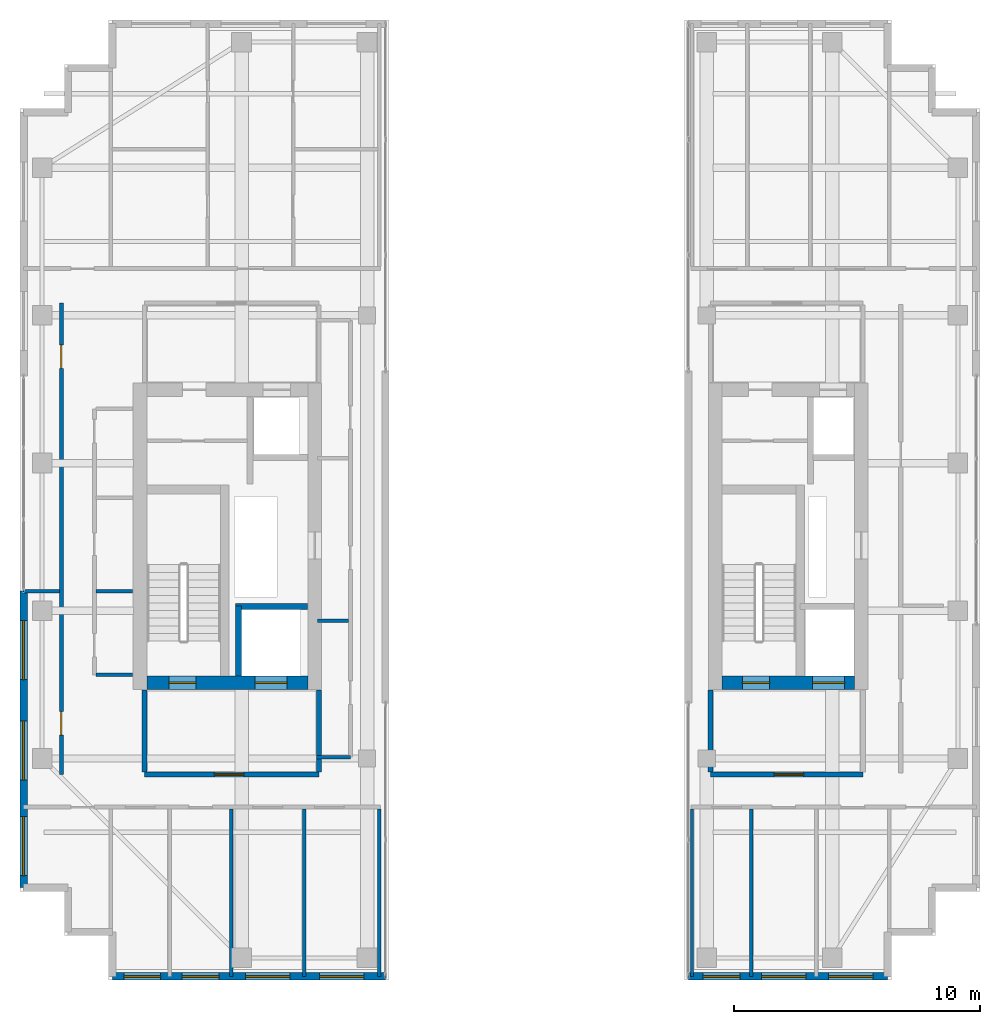
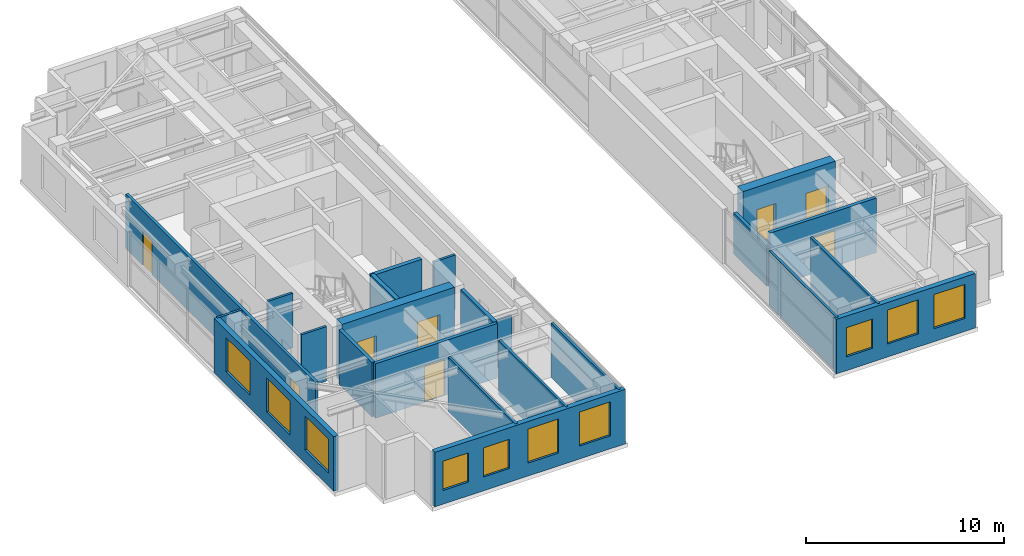
# One storey, part 18 of 23: 23 walls, 10 windows, 8 doors, 18 openings.
"""IFC4 building model written with IfcOpenShell, lengths in metres."""

from ifc_helpers import new_model, si_unit, direction, frame, frame_2d, origin, place, context, subcontext, project, spatial, rectangle, extrude, source, transform, mapped, material, layer, layer_set, type_object, element, fill, save


model = new_model("IFC4")

# Units and contexts
model_context = context("Model", 3, precision=1e-05, world=origin(), true_north=direction((0.0, 1.0)))
body_context = subcontext(model_context, "Body", "Model", "MODEL_VIEW")
ifc_project = project(units=[si_unit("LENGTHUNIT", "METRE"), si_unit("AREAUNIT", "SQUARE_METRE"), si_unit("VOLUMEUNIT", "CUBIC_METRE"), si_unit("PLANEANGLEUNIT", "RADIAN"), si_unit("MASSUNIT", "GRAM", prefix="KILO")], contexts=[model_context])

# Site, building, storey
site_placement = place(None, origin())
site = spatial("IfcSite", under=ifc_project, at=site_placement, CompositionType="ELEMENT")
building_placement = place(site_placement, origin())
building = spatial("IfcBuilding", under=site, at=building_placement, Name="Khoralis Quay Care Tower", CompositionType="ELEMENT")
storey_placement = place(building_placement, frame((0.0, 0.0, 252.89990234375)))
storey = spatial("IfcBuildingStorey", under=building, at=storey_placement, Name="L66", CompositionType="ELEMENT", Elevation=252.89990234375)

# Wall, opening, door
ifc_material_1 = material(Name="Gypsum plasterboard on acoustic metal stud")
ifc_layer_1 = layer(ifc_material_1, 0.199951171875)
ifc_layer_set_1 = layer_set([ifc_layer_1], Name="Gypsum plasterboard on acoustic metal stud")
wall_type_1 = type_object("IfcWallType", Name="WL-COMP-200", PredefinedType="PARTITIONING", material=ifc_layer_set_1)
wall_1_placement = place(storey_placement, frame((8.050048828125, 11.35009765625, 0.0), z_axis=(0.0, 0.0, 1.0), x_axis=(1.0, 0.0, 0.0)))
wall_1 = element("IfcWall", 1, at=wall_1_placement, inside=storey, type_object=wall_type_1, Name="L66 West Firefighting Lobby South Wall", PredefinedType="PARTITIONING", context=body_context, shape_type="SweptSolid", body=[
    extrude(rectangle(XDim=7.099853515625, YDim=0.199951171875, at=frame_2d((3.5498046875, 0.0))), origin(), (0.0, 0.0, 1.0), 3.360107421875),
])
opening_1_placement = place(wall_1_placement, frame((2.846435546875, 0.0, 0.0)))
opening_1 = element("IfcOpeningElement", 2, at=opening_1_placement, cuts=wall_1, Name="Opening FD1", PredefinedType="OPENING", context=body_context, shape_type="SweptSolid", body=[
    extrude(rectangle(XDim=1.199951171875, YDim=2.199951171875, at=frame_2d((0.60009765625, 1.10009765625))), frame((0.0, 0.10986328125, 0.0), z_axis=(0.0, -1.0, 0.0), x_axis=(1.0, 0.0, 0.0)), (0.0, 0.0, 1.0), 0.219970703125),
])
ifc_material_2 = material(Name="Fire-rated painted steel", Category="steel")
door_type_1 = type_object("IfcDoorType", Name="DR-FFL-1200X2200", OperationType="NOTDEFINED", PredefinedType="DOOR", material=ifc_material_2)
shared_shape_1 = source(origin(), body_context, "Body", "SweptSolid", [
    extrude(rectangle(XDim=1.199951171875, YDim=2.199951171875, at=frame_2d((0.60009765625, 1.10009765625))), frame((0.0, 0.02490234375, 0.0), z_axis=(0.0, -1.0, 0.0), x_axis=(1.0, 0.0, 0.0)), (0.0, 0.0, 1.0), 0.050048828125),
])
door_1_placement = place(opening_1_placement, origin())
door_1 = element("IfcDoor", 3, at=door_1_placement, inside=storey, type_object=door_type_1, Name="L66 West Firefighting Lobby Fire Door", OperationType="SINGLE_SWING_RIGHT", OverallHeight=2.199951171875, OverallWidth=1.199951171875, PredefinedType="DOOR", context=body_context, shape_type="MappedRepresentation", body=[
    mapped(shared_shape_1, transform((0.0, 0.0, 0.0), scale=1.0)),
])
fill(opening_1, door_1)

# Walls
for number, where, z_axis, x_axis, name in (
    (4, (8.050048828125, 11.445068359375, 0.0), (0.0, 0.0, 1.0), (0.0, 1.0, 0.0), "L66 West Firefighting Lobby West Wall"),
    (5, (15.14990234375, 11.445068359375, 0.0), (0.0, 0.0, 1.0), (0.0, 1.0, 0.0), "L66 West Firefighting Lobby East Wall"),
):
    element("IfcWall", number, at=place(storey_placement, frame(where, z_axis=z_axis, x_axis=x_axis)), inside=storey, type_object=wall_type_1, Name=name, PredefinedType="PARTITIONING", context=body_context, shape_type="SweptSolid", body=[
        extrude(rectangle(XDim=3.3349609375, YDim=0.199951171875, at=frame_2d((1.66748046875, 0.0))), origin(), (0.0, 0.0, 1.0), 3.360107421875),
    ])

# Wall, opening, door
wall_2_placement = place(storey_placement, frame((31.050048828125, 11.35009765625, 0.0), z_axis=(0.0, 0.0, 1.0), x_axis=(1.0, 0.0, 0.0)))
wall_2 = element("IfcWall", 6, at=wall_2_placement, inside=storey, type_object=wall_type_1, Name="L66 East Firefighting Lobby South Wall", PredefinedType="PARTITIONING", context=body_context, shape_type="SweptSolid", body=[
    extrude(rectangle(XDim=6.199951171875, YDim=0.199951171875, at=frame_2d((3.10009765625, 0.0))), origin(), (0.0, 0.0, 1.0), 3.360107421875),
])
opening_2_placement = place(wall_2_placement, frame((2.585693359375, 0.0, 0.0)))
opening_2 = element("IfcOpeningElement", 7, at=opening_2_placement, cuts=wall_2, Name="Opening FD1", PredefinedType="OPENING", context=body_context, shape_type="SweptSolid", body=[
    extrude(rectangle(XDim=1.199951171875, YDim=2.199951171875, at=frame_2d((0.60009765625, 1.10009765625))), frame((0.0, 0.10986328125, 0.0), z_axis=(0.0, -1.0, 0.0), x_axis=(1.0, 0.0, 0.0)), (0.0, 0.0, 1.0), 0.219970703125),
])
door_2_placement = place(opening_2_placement, origin())
door_2 = element("IfcDoor", 8, at=door_2_placement, inside=storey, type_object=door_type_1, Name="L66 East Firefighting Lobby Fire Door", OperationType="SINGLE_SWING_LEFT", OverallHeight=2.199951171875, OverallWidth=1.199951171875, PredefinedType="DOOR", context=body_context, shape_type="MappedRepresentation", body=[
    mapped(shared_shape_1, transform((0.0, 0.0, 0.0), scale=1.0)),
])
fill(opening_2, door_2)

# Wall
wall_3_placement = place(storey_placement, frame((31.050048828125, 11.445068359375, 0.0), z_axis=(0.0, 0.0, 1.0), x_axis=(0.0, 1.0, 0.0)))
element("IfcWall", 9, at=wall_3_placement, inside=storey, type_object=wall_type_1, Name="L66 East Firefighting Lobby West Wall", PredefinedType="PARTITIONING", context=body_context, shape_type="SweptSolid", body=[
    extrude(rectangle(XDim=3.3349609375, YDim=0.199951171875, at=frame_2d((1.66748046875, 0.0))), origin(), (0.0, 0.0, 1.0), 2.510009765625),
])

# Wall, openings, doors
ifc_material_3 = material(Name="Concrete C65/80", Category="concrete")
ifc_layer_2 = layer(ifc_material_3, 0.550048828125)
ifc_layer_set_2 = layer_set([ifc_layer_2], Name="Concrete C65/80")
wall_type_2 = type_object("IfcWallType", Name="WL-CORE-550", PredefinedType="SHEAR", material=ifc_layer_set_2)
wall_4_placement = place(storey_placement, frame((8.14990234375, 15.074951171875, 0.0), z_axis=(0.0, 0.0, 1.0), x_axis=(1.0, 0.0, 0.0)))
wall_4 = element("IfcWall", 10, at=wall_4_placement, inside=storey, type_object=wall_type_2, Name="L66 WCORE South Shear Wall", PredefinedType="SHEAR", context=body_context, shape_type="SweptSolid", body=[
    extrude(rectangle(XDim=6.550048828125, YDim=0.550048828125, at=frame_2d((3.27490234375, 0.0))), origin(), (0.0, 0.0, 1.0), 3.60009765625),
])
opening_3_placement = place(wall_4_placement, frame((0.89990234375, 0.0, 0.0)))
opening_3 = element("IfcOpeningElement", 11, at=opening_3_placement, cuts=wall_4, Name="Opening SD1", PredefinedType="OPENING", context=body_context, shape_type="SweptSolid", body=[
    extrude(rectangle(XDim=1.10009765625, YDim=2.199951171875, at=frame_2d((0.550048828125, 1.10009765625))), frame((0.0, 0.28515625, 0.0), z_axis=(0.0, -1.0, 0.0), x_axis=(1.0, 0.0, 0.0)), (0.0, 0.0, 1.0), 0.570068359375),
])
opening_4_placement = place(wall_4_placement, frame((4.39990234375, 0.0, 0.0)))
opening_4 = element("IfcOpeningElement", 12, at=opening_4_placement, cuts=wall_4, Name="Opening LD2", PredefinedType="OPENING", context=body_context, shape_type="SweptSolid", body=[
    extrude(rectangle(XDim=1.300048828125, YDim=2.199951171875, at=frame_2d((0.64990234375, 1.10009765625))), frame((0.0, 0.28515625, 0.0), z_axis=(0.0, -1.0, 0.0), x_axis=(1.0, 0.0, 0.0)), (0.0, 0.0, 1.0), 0.570068359375),
])
door_type_2 = type_object("IfcDoorType", Name="DR-STAIR-1100X2200", OperationType="NOTDEFINED", PredefinedType="DOOR", material=ifc_material_2)
shared_shape_2 = source(origin(), body_context, "Body", "SweptSolid", [
    extrude(rectangle(XDim=1.10009765625, YDim=2.199951171875, at=frame_2d((0.550048828125, 1.10009765625))), frame((0.0, 0.02490234375, 0.0), z_axis=(0.0, -1.0, 0.0), x_axis=(1.0, 0.0, 0.0)), (0.0, 0.0, 1.0), 0.050048828125),
])
door_3_placement = place(opening_3_placement, origin())
door_3 = element("IfcDoor", 13, at=door_3_placement, inside=storey, type_object=door_type_2, Name="L66 Stair ST-T1 Fire Door", OperationType="SINGLE_SWING_RIGHT", OverallHeight=2.199951171875, OverallWidth=1.10009765625, PredefinedType="DOOR", context=body_context, shape_type="MappedRepresentation", body=[
    mapped(shared_shape_2, transform((0.0, 0.0, 0.0), scale=1.0)),
])
fill(opening_3, door_3)
ifc_material_4 = material(Name="Brushed stainless steel", Category="steel")
door_type_3 = type_object("IfcDoorType", Name="DR-LIFT-1300X2200", OperationType="SLIDING_TO_RIGHT", PredefinedType="DOOR", material=ifc_material_4)
shared_shape_3 = source(origin(), body_context, "Body", "SweptSolid", [
    extrude(rectangle(XDim=1.300048828125, YDim=2.199951171875, at=frame_2d((0.64990234375, 1.10009765625))), frame((0.0, 0.02490234375, 0.0), z_axis=(0.0, -1.0, 0.0), x_axis=(1.0, 0.0, 0.0)), (0.0, 0.0, 1.0), 0.050048828125),
])
door_4_placement = place(opening_4_placement, origin())
door_4 = element("IfcDoor", 14, at=door_4_placement, inside=storey, type_object=door_type_3, Name="L66 Firefighting Lift FFL-1 Landing Door", OperationType="SLIDING_TO_RIGHT", OverallHeight=2.199951171875, OverallWidth=1.300048828125, PredefinedType="DOOR", context=body_context, shape_type="MappedRepresentation", body=[
    mapped(shared_shape_3, transform((0.0, 0.0, 0.0), scale=1.0)),
])
fill(opening_4, door_4)

wall_5_placement = place(storey_placement, frame((31.52001953125, 15.074951171875, 0.0), z_axis=(0.0, 0.0, 1.0), x_axis=(1.0, 0.0, 0.0)))
wall_5 = element("IfcWall", 15, at=wall_5_placement, inside=storey, type_object=wall_type_2, Name="L66 ECORE South Shear Wall", PredefinedType="SHEAR", context=body_context, shape_type="SweptSolid", body=[
    extrude(rectangle(XDim=5.3798828125, YDim=0.550048828125, at=frame_2d((2.68994140625, 0.0))), origin(), (0.0, 0.0, 1.0), 3.60009765625),
])
opening_5_placement = place(wall_5_placement, frame((0.830078125, 0.0, 0.0)))
opening_5 = element("IfcOpeningElement", 16, at=opening_5_placement, cuts=wall_5, Name="Opening SD1", PredefinedType="OPENING", context=body_context, shape_type="SweptSolid", body=[
    extrude(rectangle(XDim=1.10009765625, YDim=2.199951171875, at=frame_2d((0.550048828125, 1.10009765625))), frame((0.0, 0.28515625, 0.0), z_axis=(0.0, -1.0, 0.0), x_axis=(1.0, 0.0, 0.0)), (0.0, 0.0, 1.0), 0.570068359375),
])
opening_6_placement = place(wall_5_placement, frame((3.679931640625, 0.0, 0.0)))
opening_6 = element("IfcOpeningElement", 17, at=opening_6_placement, cuts=wall_5, Name="Opening LD2", PredefinedType="OPENING", context=body_context, shape_type="SweptSolid", body=[
    extrude(rectangle(XDim=1.300048828125, YDim=2.199951171875, at=frame_2d((0.64990234375, 1.10009765625))), frame((0.0, 0.28515625, 0.0), z_axis=(0.0, -1.0, 0.0), x_axis=(1.0, 0.0, 0.0)), (0.0, 0.0, 1.0), 0.570068359375),
])
door_5_placement = place(opening_5_placement, origin())
door_5 = element("IfcDoor", 18, at=door_5_placement, inside=storey, type_object=door_type_2, Name="L66 Stair ST-T2 Fire Door", OperationType="SINGLE_SWING_LEFT", OverallHeight=2.199951171875, OverallWidth=1.10009765625, PredefinedType="DOOR", context=body_context, shape_type="MappedRepresentation", body=[
    mapped(shared_shape_2, transform((0.0, 0.0, 0.0), scale=1.0)),
])
fill(opening_5, door_5)
door_6_placement = place(opening_6_placement, origin())
door_6 = element("IfcDoor", 19, at=door_6_placement, inside=storey, type_object=door_type_3, Name="L66 Firefighting Lift FFL-2 Landing Door", OperationType="SLIDING_TO_RIGHT", OverallHeight=2.199951171875, OverallWidth=1.300048828125, PredefinedType="DOOR", context=body_context, shape_type="MappedRepresentation", body=[
    mapped(shared_shape_3, transform((0.0, 0.0, 0.0), scale=1.0)),
])
fill(opening_6, door_6)

ifc_layer_3 = layer(ifc_material_1, 0.1650390625)
ifc_layer_set_3 = layer_set([ifc_layer_3], Name="Gypsum plasterboard on acoustic metal stud")
wall_type_3 = type_object("IfcWallType", Name="WL-CORR-165", PredefinedType="PARTITIONING", material=ifc_layer_set_3)
wall_6_placement = place(storey_placement, frame((4.679931640625, 11.35009765625, 0.0), z_axis=(0.0, 0.0, 1.0), x_axis=(0.0, 1.0, 0.0)))
wall_6 = element("IfcWall", 20, at=wall_6_placement, inside=storey, type_object=wall_type_3, Name="L66 West Mid South Entry Wall", PredefinedType="PARTITIONING", context=body_context, shape_type="SweptSolid", body=[
    extrude(rectangle(XDim=19.14990234375, YDim=0.1650390625, at=frame_2d((9.574951171875, 0.0))), origin(), (0.0, 0.0, 1.0), 3.360107421875),
])
opening_7_placement = place(wall_6_placement, frame((1.60009765625, 0.0, 0.0)))
opening_7 = element("IfcOpeningElement", 21, at=opening_7_placement, cuts=wall_6, Name="Opening ID1", PredefinedType="OPENING", context=body_context, shape_type="SweptSolid", body=[
    extrude(rectangle(XDim=0.949951171875, YDim=2.10009765625, at=frame_2d((0.47509765625, 1.050048828125))), frame((0.0, 0.092529296875, 0.0), z_axis=(0.0, -1.0, 0.0), x_axis=(1.0, 0.0, 0.0)), (0.0, 0.0, 1.0), 0.18505859375),
])
opening_8_placement = place(wall_6_placement, frame((16.5, 0.0, 0.0)))
opening_8 = element("IfcOpeningElement", 22, at=opening_8_placement, cuts=wall_6, Name="Opening ID1", PredefinedType="OPENING", context=body_context, shape_type="SweptSolid", body=[
    extrude(rectangle(XDim=0.949951171875, YDim=2.10009765625, at=frame_2d((0.47509765625, 1.050048828125))), frame((0.0, 0.092529296875, 0.0), z_axis=(0.0, -1.0, 0.0), x_axis=(1.0, 0.0, 0.0)), (0.0, 0.0, 1.0), 0.18505859375),
])
ifc_material_5 = material(Name="Acoustic hardwood timber", Category="wood")
door_type_4 = type_object("IfcDoorType", Name="DR-ROOM-950X2100", OperationType="NOTDEFINED", PredefinedType="DOOR", material=ifc_material_5)
shared_shape_4 = source(origin(), body_context, "Body", "SweptSolid", [
    extrude(rectangle(XDim=0.949951171875, YDim=2.10009765625, at=frame_2d((0.47509765625, 1.050048828125))), frame((0.0, 0.02490234375, 0.0), z_axis=(0.0, -1.0, 0.0), x_axis=(1.0, 0.0, 0.0)), (0.0, 0.0, 1.0), 0.050048828125),
])
door_7_placement = place(opening_7_placement, frame((0.949951171875, 0.0, 0.0), z_axis=(0.0, 0.0, 1.0), x_axis=(-1.0, 0.0, 0.0)))
door_7 = element("IfcDoor", 23, at=door_7_placement, inside=storey, type_object=door_type_4, Name="L66 West Care Coordinator Office Door", OperationType="SINGLE_SWING_LEFT", OverallHeight=2.10009765625, OverallWidth=0.949951171875, PredefinedType="DOOR", context=body_context, shape_type="MappedRepresentation", body=[
    mapped(shared_shape_4, transform((0.0, 0.0, 0.0), scale=1.0)),
])
fill(opening_7, door_7)
door_8_placement = place(opening_8_placement, frame((0.949951171875, 0.0, 0.0), z_axis=(0.0, 0.0, 1.0), x_axis=(-1.0, 0.0, 0.0)))
door_8 = element("IfcDoor", 24, at=door_8_placement, inside=storey, type_object=door_type_4, Name="L66 West Family Case Seminar Room Door", OperationType="SINGLE_SWING_RIGHT", OverallHeight=2.10009765625, OverallWidth=0.949951171875, PredefinedType="DOOR", context=body_context, shape_type="MappedRepresentation", body=[
    mapped(shared_shape_4, transform((0.0, 0.0, 0.0), scale=1.0)),
])
fill(opening_8, door_8)

# Wall, openings, windows
ifc_material_6 = material(Name="Precast concrete C45/55", Category="concrete")
ifc_layer_4 = layer(ifc_material_6, 0.300048828125)
ifc_layer_set_4 = layer_set([ifc_layer_4], Name="Precast concrete C45/55")
wall_type_4 = type_object("IfcWallType", Name="WL-EXT-REF-300", PredefinedType="SOLIDWALL", material=ifc_layer_set_4)
wall_7_placement = place(storey_placement, frame((6.75, 3.14990234375, 0.0), z_axis=(0.0, 0.0, 1.0), x_axis=(1.0, 0.0, 0.0)))
wall_7 = element("IfcWall", 25, at=wall_7_placement, inside=storey, type_object=wall_type_4, Name="L66 External Facade Wall WL-EXT-L66-P1-E0", PredefinedType="SOLIDWALL", context=body_context, shape_type="SweptSolid", body=[
    extrude(rectangle(XDim=11.10009765625, YDim=0.300048828125, at=frame_2d((5.550048828125, 0.0))), origin(), (0.0, 0.0, 1.0), 3.360107421875),
])
opening_9_placement = place(wall_7_placement, frame((0.465087890625, 0.0, 0.85009765625)))
opening_9 = element("IfcOpeningElement", 26, at=opening_9_placement, cuts=wall_7, Name="Opening W3", PredefinedType="OPENING", context=body_context, shape_type="SweptSolid", body=[
    extrude(rectangle(XDim=1.5, YDim=1.800048828125, at=frame_2d((0.75, 0.89990234375))), frame((0.0, 0.16015625, 0.0), z_axis=(0.0, -1.0, 0.0), x_axis=(1.0, 0.0, 0.0)), (0.0, 0.0, 1.0), 0.320068359375),
])
opening_10_placement = place(wall_7_placement, frame((2.8349609375, 0.0, 0.85009765625)))
opening_10 = element("IfcOpeningElement", 27, at=opening_10_placement, cuts=wall_7, Name="Opening W3", PredefinedType="OPENING", context=body_context, shape_type="SweptSolid", body=[
    extrude(rectangle(XDim=1.5, YDim=1.800048828125, at=frame_2d((0.75, 0.89990234375))), frame((0.0, 0.16015625, 0.0), z_axis=(0.0, -1.0, 0.0), x_axis=(1.0, 0.0, 0.0)), (0.0, 0.0, 1.0), 0.320068359375),
])
opening_11_placement = place(wall_7_placement, frame((5.4150390625, 0.0, 0.800048828125)))
opening_11 = element("IfcOpeningElement", 28, at=opening_11_placement, cuts=wall_7, Name="Opening W2", PredefinedType="OPENING", context=body_context, shape_type="SweptSolid", body=[
    extrude(rectangle(XDim=1.800048828125, YDim=2.10009765625, at=frame_2d((0.89990234375, 1.050048828125))), frame((0.0, 0.16015625, 0.0), z_axis=(0.0, -1.0, 0.0), x_axis=(1.0, 0.0, 0.0)), (0.0, 0.0, 1.0), 0.320068359375),
])
opening_12_placement = place(wall_7_placement, frame((8.419921875, 0.0, 0.800048828125)))
opening_12 = element("IfcOpeningElement", 29, at=opening_12_placement, cuts=wall_7, Name="Opening W2", PredefinedType="OPENING", context=body_context, shape_type="SweptSolid", body=[
    extrude(rectangle(XDim=1.800048828125, YDim=2.10009765625, at=frame_2d((0.89990234375, 1.050048828125))), frame((0.0, 0.16015625, 0.0), z_axis=(0.0, -1.0, 0.0), x_axis=(1.0, 0.0, 0.0)), (0.0, 0.0, 1.0), 0.320068359375),
])
ifc_material_7 = material(Name="Low-E solar-control double glazing", Category="glass")
window_type_1 = type_object("IfcWindowType", Name="WN-CLIN-1500X1800", PartitioningType="SINGLE_PANEL", PredefinedType="WINDOW", material=ifc_material_7)
shared_shape_5 = source(origin(), body_context, "Body", "SweptSolid", [
    extrude(rectangle(XDim=1.5, YDim=1.800048828125, at=frame_2d((0.75, 0.89990234375))), frame((0.0, 0.030029296875, 0.0), z_axis=(0.0, -1.0, 0.0), x_axis=(1.0, 0.0, 0.0)), (0.0, 0.0, 1.0), 0.06005859375),
])
window_1_placement = place(opening_9_placement, origin())
window_1 = element("IfcWindow", 30, at=window_1_placement, inside=storey, type_object=window_type_1, Name="WN-L66-P1-E0 Facade Window 01", OverallHeight=1.800048828125, OverallWidth=1.5, PartitioningType="SINGLE_PANEL", PredefinedType="WINDOW", context=body_context, shape_type="MappedRepresentation", body=[
    mapped(shared_shape_5, transform((0.0, 0.0, 0.0), scale=1.0)),
])
fill(opening_9, window_1)
window_2_placement = place(opening_10_placement, origin())
window_2 = element("IfcWindow", 31, at=window_2_placement, inside=storey, type_object=window_type_1, Name="WN-L66-P1-E0 Facade Window 02", OverallHeight=1.800048828125, OverallWidth=1.5, PartitioningType="SINGLE_PANEL", PredefinedType="WINDOW", context=body_context, shape_type="MappedRepresentation", body=[
    mapped(shared_shape_5, transform((0.0, 0.0, 0.0), scale=1.0)),
])
fill(opening_10, window_2)
window_type_2 = type_object("IfcWindowType", Name="WN-POD-1800X2100", PartitioningType="SINGLE_PANEL", PredefinedType="WINDOW", material=ifc_material_7)
shared_shape_6 = source(origin(), body_context, "Body", "SweptSolid", [
    extrude(rectangle(XDim=1.800048828125, YDim=2.10009765625, at=frame_2d((0.89990234375, 1.050048828125))), frame((0.0, 0.030029296875, 0.0), z_axis=(0.0, -1.0, 0.0), x_axis=(1.0, 0.0, 0.0)), (0.0, 0.0, 1.0), 0.06005859375),
])
window_3_placement = place(opening_11_placement, origin())
window_3 = element("IfcWindow", 32, at=window_3_placement, inside=storey, type_object=window_type_2, Name="WN-L66-P1-E0 Facade Window 03", OverallHeight=2.10009765625, OverallWidth=1.800048828125, PartitioningType="SINGLE_PANEL", PredefinedType="WINDOW", context=body_context, shape_type="MappedRepresentation", body=[
    mapped(shared_shape_6, transform((0.0, 0.0, 0.0), scale=1.0)),
])
fill(opening_11, window_3)
window_4_placement = place(opening_12_placement, origin())
window_4 = element("IfcWindow", 33, at=window_4_placement, inside=storey, type_object=window_type_2, Name="WN-L66-P1-E0 Facade Window 04", OverallHeight=2.10009765625, OverallWidth=1.800048828125, PartitioningType="SINGLE_PANEL", PredefinedType="WINDOW", context=body_context, shape_type="MappedRepresentation", body=[
    mapped(shared_shape_6, transform((0.0, 0.0, 0.0), scale=1.0)),
])
fill(opening_12, window_4)

wall_8_placement = place(storey_placement, frame((3.14990234375, 18.800048828125, 0.0), z_axis=(0.0, 0.0, 1.0), x_axis=(0.0, -1.0, 0.0)))
wall_8 = element("IfcWall", 34, at=wall_8_placement, inside=storey, type_object=wall_type_4, Name="L66 External Facade Wall WL-EXT-L66-P1-E7B", PredefinedType="SOLIDWALL", context=body_context, shape_type="SweptSolid", body=[
    extrude(rectangle(XDim=12.050048828125, YDim=0.300048828125, at=frame_2d((6.02490234375, 0.0))), origin(), (0.0, 0.0, 1.0), 3.360107421875),
])
opening_13_placement = place(wall_8_placement, frame((1.199951171875, 0.0, 0.800048828125)))
opening_13 = element("IfcOpeningElement", 35, at=opening_13_placement, cuts=wall_8, Name="Opening W1", PredefinedType="OPENING", context=body_context, shape_type="SweptSolid", body=[
    extrude(rectangle(XDim=2.39990234375, YDim=2.10009765625, at=frame_2d((1.199951171875, 1.050048828125))), frame((0.0, 0.16015625, 0.0), z_axis=(0.0, -1.0, 0.0), x_axis=(1.0, 0.0, 0.0)), (0.0, 0.0, 1.0), 0.320068359375),
])
opening_14_placement = place(wall_8_placement, frame((5.280029296875, 0.0, 0.800048828125)))
opening_14 = element("IfcOpeningElement", 36, at=opening_14_placement, cuts=wall_8, Name="Opening W1", PredefinedType="OPENING", context=body_context, shape_type="SweptSolid", body=[
    extrude(rectangle(XDim=2.39990234375, YDim=2.10009765625, at=frame_2d((1.199951171875, 1.050048828125))), frame((0.0, 0.16015625, 0.0), z_axis=(0.0, -1.0, 0.0), x_axis=(1.0, 0.0, 0.0)), (0.0, 0.0, 1.0), 0.320068359375),
])
opening_15_placement = place(wall_8_placement, frame((9.1650390625, 0.0, 0.800048828125)))
opening_15 = element("IfcOpeningElement", 37, at=opening_15_placement, cuts=wall_8, Name="Opening W1", PredefinedType="OPENING", context=body_context, shape_type="SweptSolid", body=[
    extrude(rectangle(XDim=2.39990234375, YDim=2.10009765625, at=frame_2d((1.199951171875, 1.050048828125))), frame((0.0, 0.16015625, 0.0), z_axis=(0.0, -1.0, 0.0), x_axis=(1.0, 0.0, 0.0)), (0.0, 0.0, 1.0), 0.320068359375),
])
window_type_3 = type_object("IfcWindowType", Name="WN-POD-2400X2100", PartitioningType="SINGLE_PANEL", PredefinedType="WINDOW", material=ifc_material_7)
shared_shape_7 = source(origin(), body_context, "Body", "SweptSolid", [
    extrude(rectangle(XDim=2.39990234375, YDim=2.10009765625, at=frame_2d((1.199951171875, 1.050048828125))), frame((0.0, 0.030029296875, 0.0), z_axis=(0.0, -1.0, 0.0), x_axis=(1.0, 0.0, 0.0)), (0.0, 0.0, 1.0), 0.06005859375),
])
window_5_placement = place(opening_13_placement, origin())
window_5 = element("IfcWindow", 38, at=window_5_placement, inside=storey, type_object=window_type_3, Name="WN-L66-P1-E7B Facade Window 01", OverallHeight=2.10009765625, OverallWidth=2.39990234375, PartitioningType="SINGLE_PANEL", PredefinedType="WINDOW", context=body_context, shape_type="MappedRepresentation", body=[
    mapped(shared_shape_7, transform((0.0, 0.0, 0.0), scale=1.0)),
])
fill(opening_13, window_5)
window_6_placement = place(opening_14_placement, origin())
window_6 = element("IfcWindow", 39, at=window_6_placement, inside=storey, type_object=window_type_3, Name="WN-L66-P1-E7B Facade Window 02", OverallHeight=2.10009765625, OverallWidth=2.39990234375, PartitioningType="SINGLE_PANEL", PredefinedType="WINDOW", context=body_context, shape_type="MappedRepresentation", body=[
    mapped(shared_shape_7, transform((0.0, 0.0, 0.0), scale=1.0)),
])
fill(opening_14, window_6)
window_7_placement = place(opening_15_placement, origin())
window_7 = element("IfcWindow", 40, at=window_7_placement, inside=storey, type_object=window_type_3, Name="WN-L66-P1-E7B Facade Window 03", OverallHeight=2.10009765625, OverallWidth=2.39990234375, PartitioningType="SINGLE_PANEL", PredefinedType="WINDOW", context=body_context, shape_type="MappedRepresentation", body=[
    mapped(shared_shape_7, transform((0.0, 0.0, 0.0), scale=1.0)),
])
fill(opening_15, window_7)

wall_9_placement = place(storey_placement, frame((30.14990234375, 3.14990234375, 0.0), z_axis=(0.0, 0.0, 1.0), x_axis=(1.0, 0.0, 0.0)))
wall_9 = element("IfcWall", 41, at=wall_9_placement, inside=storey, type_object=wall_type_4, Name="L66 External Facade Wall WL-EXT-L66-P2-E0", PredefinedType="SOLIDWALL", context=body_context, shape_type="SweptSolid", body=[
    extrude(rectangle(XDim=8.10009765625, YDim=0.300048828125, at=frame_2d((4.050048828125, 0.0))), origin(), (0.0, 0.0, 1.0), 3.360107421875),
])
opening_16_placement = place(wall_9_placement, frame((0.60498046875, 0.0, 0.85009765625)))
opening_16 = element("IfcOpeningElement", 42, at=opening_16_placement, cuts=wall_9, Name="Opening W3", PredefinedType="OPENING", context=body_context, shape_type="SweptSolid", body=[
    extrude(rectangle(XDim=1.5, YDim=1.800048828125, at=frame_2d((0.75, 0.89990234375))), frame((0.0, 0.16015625, 0.0), z_axis=(0.0, -1.0, 0.0), x_axis=(1.0, 0.0, 0.0)), (0.0, 0.0, 1.0), 0.320068359375),
])
opening_17_placement = place(wall_9_placement, frame((2.97998046875, 0.0, 0.800048828125)))
opening_17 = element("IfcOpeningElement", 43, at=opening_17_placement, cuts=wall_9, Name="Opening W2", PredefinedType="OPENING", context=body_context, shape_type="SweptSolid", body=[
    extrude(rectangle(XDim=1.800048828125, YDim=2.10009765625, at=frame_2d((0.89990234375, 1.050048828125))), frame((0.0, 0.16015625, 0.0), z_axis=(0.0, -1.0, 0.0), x_axis=(1.0, 0.0, 0.0)), (0.0, 0.0, 1.0), 0.320068359375),
])
opening_18_placement = place(wall_9_placement, frame((5.699951171875, 0.0, 0.800048828125)))
opening_18 = element("IfcOpeningElement", 44, at=opening_18_placement, cuts=wall_9, Name="Opening W2", PredefinedType="OPENING", context=body_context, shape_type="SweptSolid", body=[
    extrude(rectangle(XDim=1.800048828125, YDim=2.10009765625, at=frame_2d((0.89990234375, 1.050048828125))), frame((0.0, 0.16015625, 0.0), z_axis=(0.0, -1.0, 0.0), x_axis=(1.0, 0.0, 0.0)), (0.0, 0.0, 1.0), 0.320068359375),
])
window_8_placement = place(opening_16_placement, origin())
window_8 = element("IfcWindow", 45, at=window_8_placement, inside=storey, type_object=window_type_1, Name="WN-L66-P2-E0 Facade Window 01", OverallHeight=1.800048828125, OverallWidth=1.5, PartitioningType="SINGLE_PANEL", PredefinedType="WINDOW", context=body_context, shape_type="MappedRepresentation", body=[
    mapped(shared_shape_5, transform((0.0, 0.0, 0.0), scale=1.0)),
])
fill(opening_16, window_8)
window_9_placement = place(opening_17_placement, origin())
window_9 = element("IfcWindow", 46, at=window_9_placement, inside=storey, type_object=window_type_2, Name="WN-L66-P2-E0 Facade Window 02", OverallHeight=2.10009765625, OverallWidth=1.800048828125, PartitioningType="SINGLE_PANEL", PredefinedType="WINDOW", context=body_context, shape_type="MappedRepresentation", body=[
    mapped(shared_shape_6, transform((0.0, 0.0, 0.0), scale=1.0)),
])
fill(opening_17, window_9)
window_10_placement = place(opening_18_placement, origin())
window_10 = element("IfcWindow", 47, at=window_10_placement, inside=storey, type_object=window_type_2, Name="WN-L66-P2-E0 Facade Window 03", OverallHeight=2.10009765625, OverallWidth=1.800048828125, PartitioningType="SINGLE_PANEL", PredefinedType="WINDOW", context=body_context, shape_type="MappedRepresentation", body=[
    mapped(shared_shape_6, transform((0.0, 0.0, 0.0), scale=1.0)),
])
fill(opening_18, window_10)

# Walls
ifc_material_8 = material(Name="Moisture-resistant gypsum and ceramic tile")
ifc_layer_5 = layer(ifc_material_8, 0.280029296875)
ifc_layer_set_5 = layer_set([ifc_layer_5], Name="Moisture-resistant gypsum and ceramic tile")
wall_type_5 = type_object("IfcWallType", Name="WL-PLUMB-280", PredefinedType="PLUMBINGWALL", material=ifc_layer_set_5)
wall_10_placement = place(storey_placement, frame((6.097412109375, 18.800048828125, 0.0), z_axis=(0.0, 0.0, 1.0), x_axis=(1.0, 0.0, 0.0)))
element("IfcWall", 48, at=wall_10_placement, inside=storey, type_object=wall_type_5, Name="L66 West Flank Divider 1", PredefinedType="PLUMBINGWALL", context=body_context, shape_type="SweptSolid", body=[
    extrude(rectangle(XDim=1.462646484375, YDim=0.139892578125, at=frame_2d((0.7314453125, 0.0))), origin(), (0.0, 0.0, 1.0), 3.360107421875),
])
ifc_layer_6 = layer(ifc_material_1, 0.239990234375)
ifc_layer_set_6 = layer_set([ifc_layer_6], Name="Gypsum plasterboard on acoustic metal stud")
wall_type_6 = type_object("IfcWallType", Name="WL-SHAFT-240", PredefinedType="PARTITIONING", material=ifc_layer_set_6)
wall_11_placement = place(storey_placement, frame((11.8798828125, 15.35009765625, 0.0), z_axis=(0.0, 0.0, 1.0), x_axis=(0.0, 1.0, 0.0)))
element("IfcWall", 49, at=wall_11_placement, inside=storey, type_object=wall_type_6, Name="L66 FFL-1 Shaft Wall West", PredefinedType="PARTITIONING", context=body_context, shape_type="SweptSolid", body=[
    extrude(rectangle(XDim=2.849853515625, YDim=0.239990234375, at=frame_2d((1.4248046875, 0.0))), origin(), (0.0, 0.0, 1.0), 3.360107421875),
])
wall_12_placement = place(storey_placement, frame((11.760009765625, 18.169921875, 0.0), z_axis=(0.0, 0.0, 1.0), x_axis=(1.0, 0.0, 0.0)))
element("IfcWall", 50, at=wall_12_placement, inside=storey, type_object=wall_type_6, Name="L66 FFL-1 Shaft Wall North", PredefinedType="PARTITIONING", context=body_context, shape_type="SweptSolid", body=[
    extrude(rectangle(XDim=2.919921875, YDim=0.239990234375, at=frame_2d((1.4599609375, 0.0))), origin(), (0.0, 0.0, 1.0), 3.360107421875),
])
ifc_layer_7 = layer(ifc_material_1, 0.139892578125)
ifc_layer_set_7 = layer_set([ifc_layer_7], Name="Gypsum plasterboard on acoustic metal stud")
wall_type_7 = type_object("IfcWallType", Name="WL-UNIT-140", PredefinedType="PARTITIONING", material=ifc_layer_set_7)
wall_13_placement = place(storey_placement, frame((6.097412109375, 15.39990234375, 0.0), z_axis=(0.0, 0.0, 1.0), x_axis=(1.0, 0.0, 0.0)))
element("IfcWall", 51, at=wall_13_placement, inside=storey, type_object=wall_type_7, Name="L66 West Flank South Cap", PredefinedType="PARTITIONING", context=body_context, shape_type="SweptSolid", body=[
    extrude(rectangle(XDim=1.462646484375, YDim=0.139892578125, at=frame_2d((0.7314453125, 0.0))), origin(), (0.0, 0.0, 1.0), 3.360107421875),
])
wall_14_placement = place(storey_placement, frame((3.14501953125, 18.800048828125, 0.0), z_axis=(0.0, 0.0, 1.0), x_axis=(1.0, 0.0, 0.0)))
element("IfcWall", 52, at=wall_14_placement, inside=storey, type_object=wall_type_7, Name="L66 West Mid Split", PredefinedType="PARTITIONING", context=body_context, shape_type="SweptSolid", body=[
    extrude(rectangle(XDim=1.45751953125, YDim=0.139892578125, at=frame_2d((0.728759765625, 0.0))), origin(), (0.0, 0.0, 1.0), 3.360107421875),
])
wall_15_placement = place(storey_placement, frame((15.080078125, 17.60009765625, 0.0), z_axis=(0.0, 0.0, 1.0), x_axis=(1.0, 0.0, 0.0)))
element("IfcWall", 53, at=wall_15_placement, inside=storey, type_object=wall_type_7, Name="L66 Portal Divider 1", PredefinedType="PARTITIONING", context=body_context, shape_type="SweptSolid", body=[
    extrude(rectangle(XDim=1.262451171875, YDim=0.139892578125, at=frame_2d((0.63134765625, 0.0))), origin(), (0.0, 0.0, 1.0), 3.360107421875),
])
for number, where, z_axis, x_axis, name in (
    (54, (11.590087890625, 3.14501953125, 0.0), (0.0, 0.0, 1.0), (0.0, 1.0, 0.0), "L66 WS Demising Wall 2"),
    (55, (14.5400390625, 3.14501953125, 0.0), (0.0, 0.0, 1.0), (0.0, 1.0, 0.0), "L66 WS Demising Wall 3"),
    (56, (17.60009765625, 3.14501953125, 0.0), (0.0, 0.0, 1.0), (0.0, 1.0, 0.0), "L66 WS Demising Wall 4"),
    (57, (30.300048828125, 3.14501953125, 0.0), (0.0, 0.0, 1.0), (0.0, 1.0, 0.0), "L66 ES Demising Wall 0"),
    (58, (32.7099609375, 3.14501953125, 0.0), (0.0, 0.0, 1.0), (0.0, 1.0, 0.0), "L66 ES Demising Wall 1"),
):
    element("IfcWall", number, at=place(storey_placement, frame(where, z_axis=z_axis, x_axis=x_axis)), inside=storey, type_object=wall_type_7, Name=name, PredefinedType="PARTITIONING", context=body_context, shape_type="SweptSolid", body=[
        extrude(rectangle(XDim=6.79736328125, YDim=0.139892578125, at=frame_2d((3.398681640625, 0.0))), origin(), (0.0, 0.0, 1.0), 3.360107421875),
    ])
wall_16_placement = place(storey_placement, frame((15.050048828125, 12.050048828125, 0.0), z_axis=(0.0, 0.0, 1.0), x_axis=(1.0, 0.0, 0.0)))
element("IfcWall", 59, at=wall_16_placement, inside=storey, type_object=wall_type_7, Name="L66 Portal Alcove South Wall", PredefinedType="PARTITIONING", context=body_context, shape_type="SweptSolid", body=[
    extrude(rectangle(XDim=1.369873046875, YDim=0.139892578125, at=frame_2d((0.68505859375, 0.0))), origin(), (0.0, 0.0, 1.0), 2.960205078125),
])

save(model, "model.ifc")
